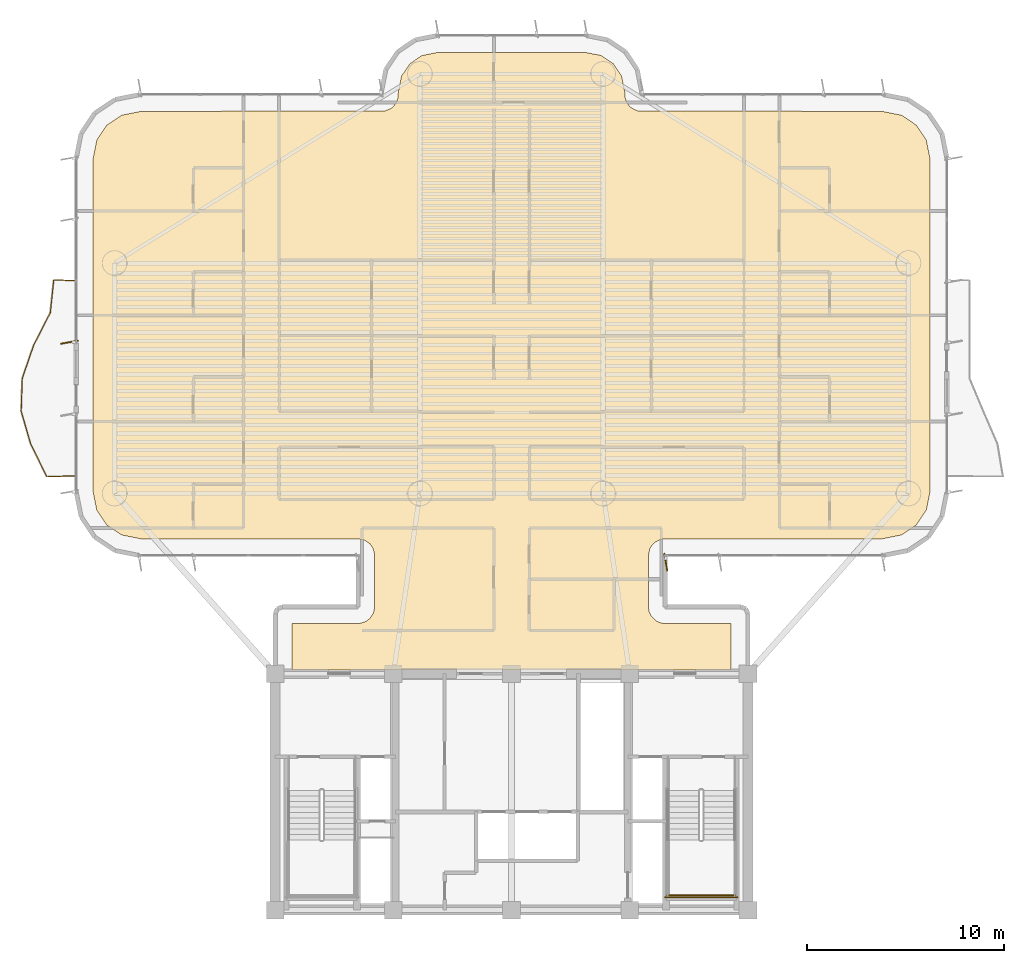
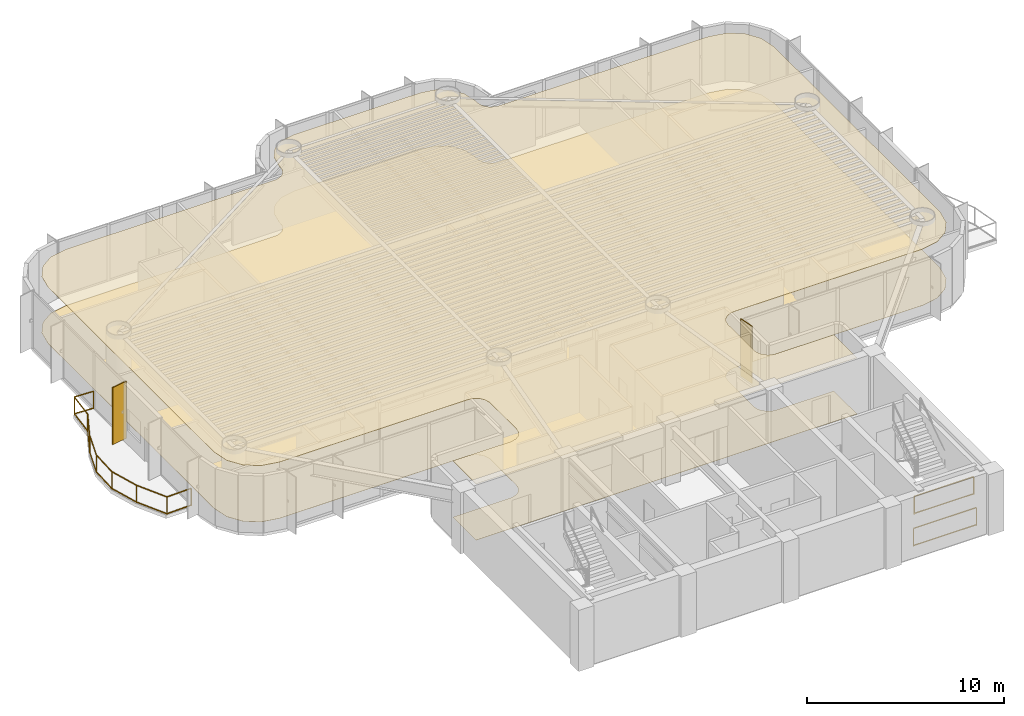
# One storey, part 15 of 17: 3 railings, 2 coverings, 2 shading devices.
"""IFC4 building model written with IfcOpenShell, lengths in metres."""

from ifc_helpers import new_model, si_unit, direction, frame, origin, origin_2d, place, context, subcontext, project, spatial, polyline, rectangle, outline, extrude, source, transform, mapped, material, layer, layer_set, material_profile, profile_set, type_object, element, save


model = new_model("IFC4")

# Units and contexts
model_context = context("Model", 3, precision=1e-05, world=origin(), true_north=direction((0.0, 1.0)))
body_context = subcontext(model_context, "Body", "Model", "MODEL_VIEW")
ifc_project = project(units=[si_unit("LENGTHUNIT", "METRE"), si_unit("AREAUNIT", "SQUARE_METRE"), si_unit("VOLUMEUNIT", "CUBIC_METRE"), si_unit("PLANEANGLEUNIT", "RADIAN"), si_unit("MASSUNIT", "GRAM", prefix="KILO")], contexts=[model_context])

# Site, building, storey
site_placement = place(None, origin())
site = spatial("IfcSite", under=ifc_project, at=site_placement, CompositionType="ELEMENT")
building_placement = place(site_placement, origin())
building = spatial("IfcBuilding", under=site, at=building_placement, Name="Brelvock Crest Care Tower", CompositionType="ELEMENT")
storey_placement = place(building_placement, frame((0.0, 0.0, 127.6201171875)))
storey = spatial("IfcBuildingStorey", under=building, at=storey_placement, Name="L32", CompositionType="ELEMENT", Elevation=127.6201171875)

# Coverings
ifc_material_1 = material(Name="Mineral Fibre Acoustic Ceiling Tile", Category="gypsum")
ifc_layer_1 = layer(ifc_material_1, 0.02490234375, Name="COV-CLG1")
ifc_layer_set_1 = layer_set([ifc_layer_1], Name="Mineral Fibre Acoustic Ceiling Tile")
covering_type_1 = type_object("IfcCoveringType", Name="COV-CLG1", PredefinedType="CEILING", material=ifc_layer_set_1)
covering_1_placement = place(storey_placement, frame((0.0, 0.0, 3.474853515625)))
element("IfcCovering", 1, at=covering_1_placement, inside=storey, type_object=covering_type_1, Name="L32 Acoustic Suspended Ceiling 1", PredefinedType="CEILING", context=body_context, shape_type="SweptSolid", body=[
    extrude(outline(polyline([(24.85009765625, 18.199951171875), (47.14990234375, 18.199951171875), (47.14990234375, 20.550048828125), (43.716796875, 20.55419921875), (43.55322265625, 20.586669921875), (43.327880859375, 20.693359375), (43.09326171875, 20.927734375), (42.986572265625, 21.1533203125), (42.949951171875, 21.39990234375), (42.949951171875, 24.0), (43.0146484375, 24.3251953125), (43.09326171875, 24.47216796875), (43.2607421875, 24.656982421875), (43.55322265625, 24.8134765625), (43.800048828125, 24.85009765625), (54.81640625, 24.85009765625), (55.79296875, 25.044189453125), (56.5498046875, 25.550048828125), (57.0556640625, 26.30712890625), (57.25, 27.28369140625), (57.25, 44.1162109375), (57.0556640625, 45.093017578125), (56.5498046875, 45.849853515625), (55.79296875, 46.355712890625), (54.81640625, 46.550048828125), (42.43408203125, 46.56640625), (42.127685546875, 46.693359375), (41.9990234375, 46.799072265625), (41.850341796875, 46.999267578125), (41.766357421875, 47.234130859375), (41.75, 47.516357421875), (41.586181640625, 48.33984375), (41.1669921875, 48.967041015625), (40.539794921875, 49.38623046875), (39.71630859375, 49.550048828125), (32.28369140625, 49.550048828125), (31.460205078125, 49.38623046875), (30.8330078125, 48.967041015625), (30.413818359375, 48.33984375), (30.25, 47.516357421875), (30.233642578125, 47.234130859375), (30.149658203125, 46.999267578125), (30.0009765625, 46.799072265625), (29.872314453125, 46.693359375), (29.56591796875, 46.56640625), (17.18359375, 46.550048828125), (16.20703125, 46.355712890625), (15.4501953125, 45.849853515625), (14.9443359375, 45.093017578125), (14.75, 44.1162109375), (14.75, 27.28369140625), (14.9443359375, 26.30712890625), (15.4501953125, 25.550048828125), (16.20703125, 25.044189453125), (17.18359375, 24.85009765625), (28.199951171875, 24.85009765625), (28.525390625, 24.785400390625), (28.801025390625, 24.60107421875), (28.94970703125, 24.400634765625), (29.0458984375, 24.083251953125), (29.050048828125, 21.39990234375), (28.9853515625, 21.07470703125), (28.801025390625, 20.799072265625), (28.6005859375, 20.650390625), (28.283203125, 20.55419921875), (24.85009765625, 20.550048828125), (24.85009765625, 18.199951171875)])), origin(), (0.0, 0.0, 1.0), 0.025146484375),
])
ifc_material_2 = material(Name="Slip-Resistant Acoustic Vinyl Flooring", Category="finish")
ifc_layer_2 = layer(ifc_material_2, 0.014892578125, Name="COV-FLR1")
ifc_layer_set_2 = layer_set([ifc_layer_2], Name="Slip-Resistant Acoustic Vinyl Flooring")
covering_type_2 = type_object("IfcCoveringType", Name="COV-FLR1", PredefinedType="FLOORING", material=ifc_layer_set_2)
covering_2_placement = place(storey_placement, origin())
element("IfcCovering", 2, at=covering_2_placement, inside=storey, type_object=covering_type_2, Name="L32 Slip-Resistant Acoustic Flooring 1", PredefinedType="FLOORING", context=body_context, shape_type="SweptSolid", body=[
    extrude(outline(polyline([(24.85009765625, 18.199951171875), (47.14990234375, 18.199951171875), (47.14990234375, 20.550048828125), (43.716796875, 20.55419921875), (43.55322265625, 20.586669921875), (43.327880859375, 20.693359375), (43.09326171875, 20.927734375), (42.986572265625, 21.1533203125), (42.949951171875, 21.39990234375), (42.949951171875, 24.0), (43.0146484375, 24.3251953125), (43.09326171875, 24.47216796875), (43.2607421875, 24.656982421875), (43.55322265625, 24.8134765625), (43.800048828125, 24.85009765625), (54.81640625, 24.85009765625), (55.79296875, 25.044189453125), (56.5498046875, 25.550048828125), (57.0556640625, 26.30712890625), (57.25, 27.28369140625), (57.25, 44.1162109375), (57.0556640625, 45.093017578125), (56.5498046875, 45.849853515625), (55.79296875, 46.355712890625), (54.81640625, 46.550048828125), (42.43408203125, 46.56640625), (42.127685546875, 46.693359375), (41.9990234375, 46.799072265625), (41.850341796875, 46.999267578125), (41.766357421875, 47.234130859375), (41.75, 47.516357421875), (41.586181640625, 48.33984375), (41.1669921875, 48.967041015625), (40.539794921875, 49.38623046875), (39.71630859375, 49.550048828125), (32.28369140625, 49.550048828125), (31.460205078125, 49.38623046875), (30.8330078125, 48.967041015625), (30.413818359375, 48.33984375), (30.25, 47.516357421875), (30.233642578125, 47.234130859375), (30.149658203125, 46.999267578125), (30.0009765625, 46.799072265625), (29.872314453125, 46.693359375), (29.56591796875, 46.56640625), (17.18359375, 46.550048828125), (16.20703125, 46.355712890625), (15.4501953125, 45.849853515625), (14.9443359375, 45.093017578125), (14.75, 44.1162109375), (14.75, 27.28369140625), (14.9443359375, 26.30712890625), (15.4501953125, 25.550048828125), (16.20703125, 25.044189453125), (17.18359375, 24.85009765625), (28.199951171875, 24.85009765625), (28.525390625, 24.785400390625), (28.801025390625, 24.60107421875), (28.94970703125, 24.400634765625), (29.0458984375, 24.083251953125), (29.050048828125, 21.39990234375), (28.9853515625, 21.07470703125), (28.801025390625, 20.799072265625), (28.6005859375, 20.650390625), (28.283203125, 20.55419921875), (24.85009765625, 20.550048828125), (24.85009765625, 18.199951171875)])), origin(), (0.0, 0.0, 1.0), 0.014892578125),
])

# Railings
ifc_material_3 = material(Name="Dark Glass Double Glazed Low-E", Category="glass")
ifc_layer_3 = layer(ifc_material_3, 0.06005859375, Name="RL-BAL1")
ifc_layer_set_3 = layer_set([ifc_layer_3], Name="Dark Glass Double Glazed Low-E")
railing_type_1 = type_object("IfcRailingType", Name="RL-BAL1", PredefinedType="BALUSTRADE", material=ifc_layer_set_3)
railing_1_placement = place(storey_placement, frame((13.860107421875, 28.050048828125, 0.00390625)))
element("IfcRailing", 3, at=railing_1_placement, inside=storey, type_object=railing_type_1, Name="L32 Safety Balustrade WB-W", PredefinedType="BALUSTRADE", context=body_context, shape_type="SweptSolid", body=[
    extrude(rectangle(XDim=0.048095703125, YDim=0.048095703125, at=origin_2d()), frame((-0.001953125, 0.0, 1.09619140625), z_axis=(-0.999404999824, -0.034491249994, 0.0), x_axis=(0.034491249994, -0.999404999824, 0.0)), (0.0, 0.0, 1.0), 1.447021484375),
    extrude(rectangle(XDim=0.048095703125, YDim=0.048095703125, at=origin_2d()), frame((-0.001953125, 0.0, 0.054931640625), z_axis=(-0.999404999824, -0.034491249994, 0.0), x_axis=(0.034491249994, -0.999404999824, 0.0)), (0.0, 0.0, 1.0), 1.447021484375),
    extrude(rectangle(XDim=0.048095703125, YDim=0.048095703125, at=origin_2d()), frame((-1.451171875, -0.04833984375, 1.09619140625), z_axis=(-0.442214310765, 0.896909417586, 0.0), x_axis=(-0.896909417586, -0.442214310765, 0.0)), (0.0, 0.0, 1.0), 1.854248046875),
    extrude(rectangle(XDim=0.048095703125, YDim=0.048095703125, at=origin_2d()), frame((-1.451171875, -0.04833984375, 0.054931640625), z_axis=(-0.442214310765, 0.896909417586, 0.0), x_axis=(-0.896909417586, -0.442214310765, 0.0)), (0.0, 0.0, 1.0), 1.854248046875),
    extrude(rectangle(XDim=0.048095703125, YDim=0.048095703125, at=origin_2d()), frame((-2.2724609375, 1.61865234375, 1.09619140625), z_axis=(-0.277935062116, 0.960599865317, 0.0), x_axis=(-0.960599865317, -0.277935062116, 0.0)), (0.0, 0.0, 1.0), 1.73095703125),
    extrude(rectangle(XDim=0.048095703125, YDim=0.048095703125, at=origin_2d()), frame((-2.2724609375, 1.61865234375, 0.054931640625), z_axis=(-0.277935062116, 0.960599865317, 0.0), x_axis=(-0.960599865317, -0.277935062116, 0.0)), (0.0, 0.0, 1.0), 1.73095703125),
    extrude(rectangle(XDim=0.048095703125, YDim=0.048095703125, at=origin_2d()), frame((-2.754150390625, 3.28515625, 1.09619140625), z_axis=(0.034109333385, 0.999418107388, 0.0), x_axis=(-0.999418107388, 0.034109333385, 0.0)), (0.0, 0.0, 1.0), 1.663818359375),
    extrude(rectangle(XDim=0.048095703125, YDim=0.048095703125, at=origin_2d()), frame((-2.754150390625, 3.28515625, 0.054931640625), z_axis=(0.034109333385, 0.999418107388, 0.0), x_axis=(-0.999418107388, 0.034109333385, 0.0)), (0.0, 0.0, 1.0), 1.663818359375),
    extrude(rectangle(XDim=0.048095703125, YDim=0.048095703125, at=origin_2d()), frame((-2.696533203125, 4.951904296875, 1.09619140625), z_axis=(0.324735154132, 0.945804990297, 0.0), x_axis=(-0.945804990297, 0.324735154132, 0.0)), (0.0, 0.0, 1.0), 1.75830078125),
    extrude(rectangle(XDim=0.048095703125, YDim=0.048095703125, at=origin_2d()), frame((-2.696533203125, 4.951904296875, 0.054931640625), z_axis=(0.324735154132, 0.945804990297, 0.0), x_axis=(-0.945804990297, 0.324735154132, 0.0)), (0.0, 0.0, 1.0), 1.75830078125),
    extrude(rectangle(XDim=0.048095703125, YDim=0.048095703125, at=origin_2d()), frame((-2.1240234375, 6.618408203125, 1.09619140625), z_axis=(0.454816788854, 0.890585026023, 0.0), x_axis=(-0.890585026023, 0.454816788854, 0.0)), (0.0, 0.0, 1.0), 1.8671875),
    extrude(rectangle(XDim=0.048095703125, YDim=0.048095703125, at=origin_2d()), frame((-2.1240234375, 6.618408203125, 0.054931640625), z_axis=(0.454816788854, 0.890585026023, 0.0), x_axis=(-0.890585026023, 0.454816788854, 0.0)), (0.0, 0.0, 1.0), 1.8671875),
    extrude(rectangle(XDim=0.048095703125, YDim=0.048095703125, at=origin_2d()), frame((-1.273681640625, 8.28515625, 1.09619140625), z_axis=(0.103729188721, 0.994605577808, 0.0), x_axis=(-0.994605577808, 0.103729188721, 0.0)), (0.0, 0.0, 1.0), 1.671875),
    extrude(rectangle(XDim=0.048095703125, YDim=0.048095703125, at=origin_2d()), frame((-1.273681640625, 8.28515625, 0.054931640625), z_axis=(0.103729188721, 0.994605577808, 0.0), x_axis=(-0.994605577808, 0.103729188721, 0.0)), (0.0, 0.0, 1.0), 1.671875),
    extrude(rectangle(XDim=0.048095703125, YDim=0.048095703125, at=origin_2d()), frame((-1.09814453125, 9.949951171875, 1.09619140625), z_axis=(0.998966710972, -0.045447886318, 0.0), x_axis=(0.045447886318, 0.998966710972, 0.0)), (0.0, 0.0, 1.0), 1.09716796875),
    extrude(rectangle(XDim=0.048095703125, YDim=0.048095703125, at=origin_2d()), frame((-1.09814453125, 9.949951171875, 0.054931640625), z_axis=(0.998966710972, -0.045447886318, 0.0), x_axis=(0.045447886318, 0.998966710972, 0.0)), (0.0, 0.0, 1.0), 1.09716796875),
    extrude(rectangle(XDim=0.0419921875, YDim=0.0419921875, at=origin_2d()), origin(), (0.0, 0.0, 1.0), 1.070068359375),
    extrude(rectangle(XDim=0.0419921875, YDim=0.0419921875, at=origin_2d()), frame((-1.4501953125, -0.050048828125, 0.0)), (0.0, 0.0, 1.0), 1.070068359375),
    extrude(rectangle(XDim=0.0419921875, YDim=0.0419921875, at=origin_2d()), frame((-2.27197265625, 1.61669921875, 0.0)), (0.0, 0.0, 1.0), 1.070068359375),
    extrude(rectangle(XDim=0.0419921875, YDim=0.0419921875, at=origin_2d()), frame((-2.754150390625, 3.283203125, 0.0)), (0.0, 0.0, 1.0), 1.070068359375),
    extrude(rectangle(XDim=0.0419921875, YDim=0.0419921875, at=origin_2d()), frame((-2.697265625, 4.949951171875, 0.0)), (0.0, 0.0, 1.0), 1.070068359375),
    extrude(rectangle(XDim=0.0419921875, YDim=0.0419921875, at=origin_2d()), frame((-2.125, 6.61669921875, 0.0)), (0.0, 0.0, 1.0), 1.070068359375),
    extrude(rectangle(XDim=0.0419921875, YDim=0.0419921875, at=origin_2d()), frame((-1.27392578125, 8.283203125, 0.0)), (0.0, 0.0, 1.0), 1.070068359375),
    extrude(rectangle(XDim=0.0419921875, YDim=0.0419921875, at=origin_2d()), frame((-1.10009765625, 9.949951171875, 0.0)), (0.0, 0.0, 1.0), 1.070068359375),
    extrude(rectangle(XDim=0.0419921875, YDim=0.0419921875, at=origin_2d()), frame((0.0, 9.89990234375, 0.0)), (0.0, 0.0, 1.0), 1.070068359375),
])
ifc_material_4 = material(Name="Steel Grade 350", Category="steel")
ifc_layer_4 = layer(ifc_material_4, 0.050048828125, Name="RL-STG1")
ifc_layer_set_4 = layer_set([ifc_layer_4], Name="Steel Grade 350")
railing_type_2 = type_object("IfcRailingType", Name="RL-STG1", PredefinedType="GUARDRAIL", material=ifc_layer_set_4)
railing_2_placement = place(storey_placement, frame((43.889892578125, 6.75, 1.889892578125)))
element("IfcRailing", 4, at=railing_2_placement, inside=storey, type_object=railing_type_2, Name="L32 ST-2 stair guard 5", PredefinedType="GUARDRAIL", context=body_context, shape_type="SweptSolid", body=[
    extrude(rectangle(XDim=0.048095703125, YDim=0.048095703125, at=origin_2d()), frame((0.001953125, 0.0, 1.11572265625), z_axis=(1.0, 0.0, 0.0), x_axis=(0.0, 1.0, 0.0)), (0.0, 0.0, 1.0), 3.476318359375),
    extrude(rectangle(XDim=0.048095703125, YDim=0.048095703125, at=origin_2d()), frame((0.001953125, 0.0, 0.054931640625), z_axis=(1.0, 0.0, 0.0), x_axis=(0.0, 1.0, 0.0)), (0.0, 0.0, 1.0), 3.476318359375),
    extrude(rectangle(XDim=0.0419921875, YDim=0.0419921875, at=origin_2d()), origin(), (0.0, 0.0, 1.0), 1.08984375),
    extrude(rectangle(XDim=0.0419921875, YDim=0.0419921875, at=origin_2d()), frame((3.480224609375, 0.0, 0.0)), (0.0, 0.0, 1.0), 1.08984375),
])
railing_3_placement = place(storey_placement, frame((43.7900390625, 6.64990234375, 0.0)))
element("IfcRailing", 5, at=railing_3_placement, inside=storey, type_object=railing_type_2, Name="L32 ST-2 stair guard 12", PredefinedType="GUARDRAIL", context=body_context, shape_type="SweptSolid", body=[
    extrude(rectangle(XDim=0.048095703125, YDim=0.048095703125, at=origin_2d()), frame((0.001953125, 0.0, 1.11572265625), z_axis=(1.0, 0.0, 0.0), x_axis=(0.0, 1.0, 0.0)), (0.0, 0.0, 1.0), 3.676025390625),
    extrude(rectangle(XDim=0.048095703125, YDim=0.048095703125, at=origin_2d()), frame((0.001953125, 0.0, 0.054931640625), z_axis=(1.0, 0.0, 0.0), x_axis=(0.0, 1.0, 0.0)), (0.0, 0.0, 1.0), 3.676025390625),
    extrude(rectangle(XDim=0.0419921875, YDim=0.0419921875, at=origin_2d()), origin(), (0.0, 0.0, 1.0), 1.08984375),
    extrude(rectangle(XDim=0.0419921875, YDim=0.0419921875, at=origin_2d()), frame((3.679931640625, 0.0, 0.0)), (0.0, 0.0, 1.0), 1.08984375),
])

# Shading devices
ifc_material_5 = material(Name="Aluminium 6063-T6", Category="aluminium")
ifc_material_profile = material_profile(ifc_material_5, rectangle(XDim=0.054931640625, YDim=0.89990234375, at=origin_2d()), Name="FIN55x900")
ifc_profile_set = profile_set([ifc_material_profile], Name="Aluminium 6063-T6")
shading_device_type = type_object("IfcShadingDeviceType", Name="SHD-FIN1", PredefinedType="USERDEFINED", material=ifc_profile_set)
shared_shape = source(origin(), body_context, "Body", "SweptSolid", [
    extrude(rectangle(XDim=0.054931640625, YDim=0.89990234375, at=origin_2d()), origin(), (0.0, 0.0, 1.0), 3.52978515625),
])
for number, where, z_axis, x_axis, name in (
    (6, (13.56005859375, 34.830078125, 0.0), (0.0, 0.0, 1.0), (-0.173648177667, 0.984807753012, 0.0), "L32 Vertical Sunshade Fin E17B-01"),
    (7, (43.830078125, 23.659912109375, 0.0), (0.0, 0.0, 1.0), (-0.984807753012, -0.173648177667, 0.0), "L32 Vertical Sunshade Fin E44-05"),
):
    element("IfcShadingDevice", number, at=place(storey_placement, frame(where, z_axis=z_axis, x_axis=x_axis)), inside=storey, type_object=shading_device_type, Name=name, ObjectType="FIN", PredefinedType="USERDEFINED", context=body_context, shape_type="MappedRepresentation", body=[
        mapped(shared_shape, transform((0.0, 0.0, 0.0), x_axis=(1.0, 0.0, 0.0), y_axis=(0.0, 1.0, 0.0), z_axis=(0.0, 0.0, 1.0), scale=1.0)),
    ])

save(model, "model.ifc")
